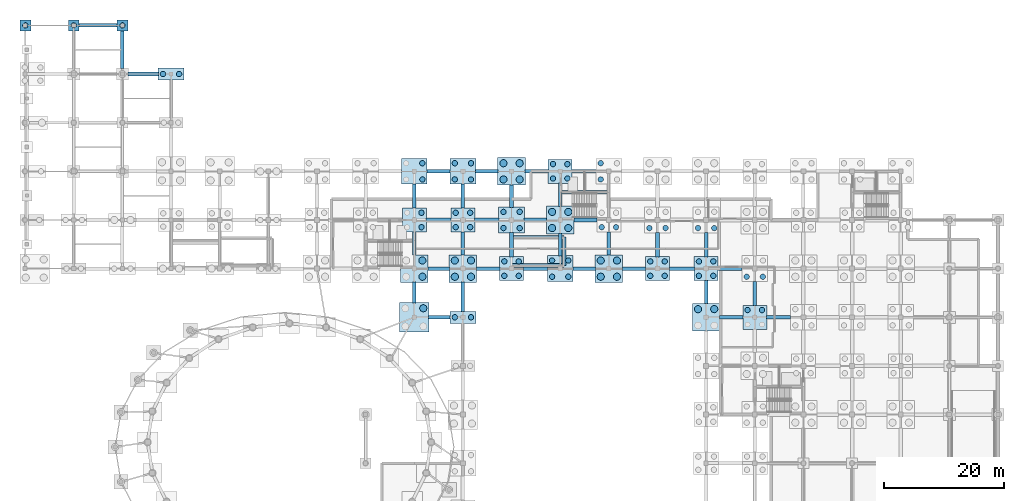
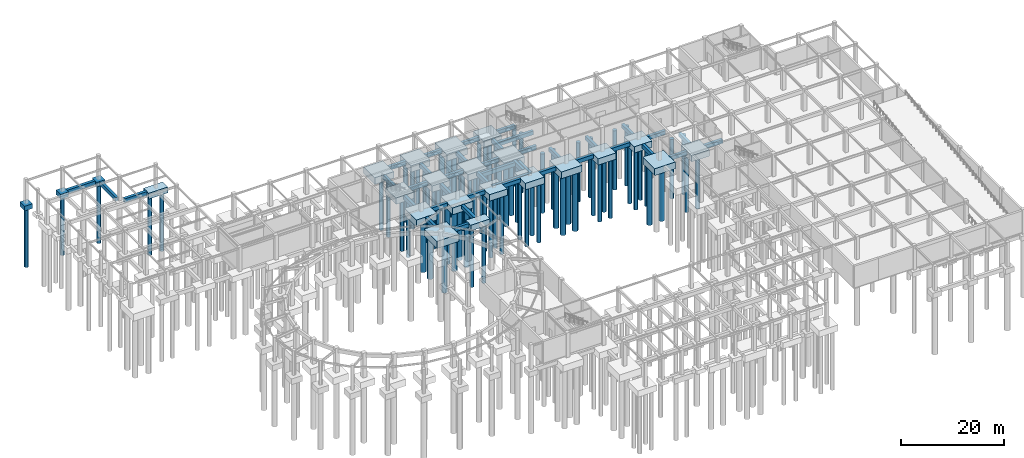
# One storey, part 5 of 26: 76 piles, 63 footings.
"""IFC4 building model written with IfcOpenShell, lengths in metres."""

from ifc_helpers import new_model, si_unit, direction, frame, origin, origin_2d, place, context, subcontext, project, spatial, rectangle, circle, extrude, material, material_profile, profile_set, type_object, element, save


model = new_model("IFC4")

# Units and contexts
model_context = context("Model", 3, precision=1e-05, world=origin(), true_north=direction((0.0, 1.0)))
body_context = subcontext(model_context, "Body", "Model", "MODEL_VIEW")
ifc_project = project(units=[si_unit("LENGTHUNIT", "METRE"), si_unit("AREAUNIT", "SQUARE_METRE"), si_unit("VOLUMEUNIT", "CUBIC_METRE"), si_unit("PLANEANGLEUNIT", "RADIAN"), si_unit("MASSUNIT", "GRAM", prefix="KILO")], contexts=[model_context])

# Site, building, storey
site_placement = place(None, origin())
site = spatial("IfcSite", under=ifc_project, at=site_placement, CompositionType="ELEMENT")
building_placement = place(site_placement, origin())
building = spatial("IfcBuilding", under=site, at=building_placement, Name="Parian Resonance Hall", CompositionType="ELEMENT")
storey_placement = place(building_placement, frame((0.0, 0.0, -5.39990234375)))
storey = spatial("IfcBuildingStorey", under=building, at=storey_placement, Name="B1", CompositionType="ELEMENT", Elevation=-5.39990234375)

# Footings
ifc_material_1 = material(Name="Concrete C35/45", Category="concrete")
ifc_material_profile_1 = material_profile(ifc_material_1, rectangle(XDim=0.60009765625, YDim=0.89990234375, at=origin_2d()), Name="RC-GB-600x900")
ifc_profile_set_1 = profile_set([ifc_material_profile_1], Name="Concrete C35/45")
footing_type_1 = type_object("IfcFootingType", Name="GB-600x900", PredefinedType="FOOTING_BEAM", material=ifc_profile_set_1)
footing_1_placement = place(storey_placement, frame((8.9599609375, 113.39990234375, -0.85009765625), z_axis=(1.0, 0.0, 0.0), x_axis=(0.0, 1.0, 0.0)))
element("IfcFooting", 1, at=footing_1_placement, inside=storey, type_object=footing_type_1, Name="Foundation tie beam B1-015", PredefinedType="FOOTING_BEAM", context=body_context, shape_type="SweptSolid", body=[
    extrude(rectangle(XDim=0.60009765625, YDim=0.89990234375, at=origin_2d()), origin(), (0.0, 0.0, 1.0), 6.380126953125),
])
footing_2_placement = place(storey_placement, frame((17.159912109375, 105.300048828125, -0.85009765625), z_axis=(1.0, 0.0, 0.0), x_axis=(0.0, 1.0, 0.0)))
element("IfcFooting", 2, at=footing_2_placement, inside=storey, type_object=footing_type_1, Name="Foundation tie beam B1-024", PredefinedType="FOOTING_BEAM", context=body_context, shape_type="SweptSolid", body=[
    extrude(rectangle(XDim=0.60009765625, YDim=0.89990234375, at=origin_2d()), origin(), (0.0, 0.0, 1.0), 5.030029296875),
])
footing_3_placement = place(storey_placement, frame((16.199951171875, 106.260009765625, -0.85009765625), z_axis=(0.0, 1.0, 0.0), x_axis=(-1.0, 0.0, 0.0)))
element("IfcFooting", 3, at=footing_3_placement, inside=storey, type_object=footing_type_1, Name="Foundation tie beam B1-025", PredefinedType="FOOTING_BEAM", context=body_context, shape_type="SweptSolid", body=[
    extrude(rectangle(XDim=0.60009765625, YDim=0.89990234375, at=origin_2d()), origin(), (0.0, 0.0, 1.0), 6.280029296875),
])
footing_4_placement = place(storey_placement, frame((67.2099609375, 64.800048828125, -0.85009765625), z_axis=(1.0, 0.0, 0.0), x_axis=(0.0, 1.0, 0.0)))
element("IfcFooting", 4, at=footing_4_placement, inside=storey, type_object=footing_type_1, Name="Foundation tie beam B1-058", PredefinedType="FOOTING_BEAM", context=body_context, shape_type="SweptSolid", body=[
    extrude(rectangle(XDim=0.60009765625, YDim=0.89990234375, at=origin_2d()), origin(), (0.0, 0.0, 1.0), 3.580078125),
])
footing_5_placement = place(storey_placement, frame((64.800048828125, 67.2099609375, -0.85009765625), z_axis=(0.0, 1.0, 0.0), x_axis=(-1.0, 0.0, 0.0)))
element("IfcFooting", 5, at=footing_5_placement, inside=storey, type_object=footing_type_1, Name="Foundation tie beam B1-059", PredefinedType="FOOTING_BEAM", context=body_context, shape_type="SweptSolid", body=[
    extrude(rectangle(XDim=0.60009765625, YDim=0.89990234375, at=origin_2d()), origin(), (0.0, 0.0, 1.0), 3.429931640625),
])
footing_6_placement = place(storey_placement, frame((67.06005859375, 72.89990234375, -0.85009765625), z_axis=(1.0, 0.0, 0.0), x_axis=(0.0, 1.0, 0.0)))
element("IfcFooting", 6, at=footing_6_placement, inside=storey, type_object=footing_type_1, Name="Foundation tie beam B1-060", PredefinedType="FOOTING_BEAM", context=body_context, shape_type="SweptSolid", body=[
    extrude(rectangle(XDim=0.60009765625, YDim=0.89990234375, at=origin_2d()), origin(), (0.0, 0.0, 1.0), 3.579833984375),
])
footing_7_placement = place(storey_placement, frame((64.800048828125, 75.159912109375, -0.85009765625), z_axis=(0.0, 1.0, 0.0), x_axis=(-1.0, 0.0, 0.0)))
element("IfcFooting", 7, at=footing_7_placement, inside=storey, type_object=footing_type_1, Name="Foundation tie beam B1-061", PredefinedType="FOOTING_BEAM", context=body_context, shape_type="SweptSolid", body=[
    extrude(rectangle(XDim=0.60009765625, YDim=0.89990234375, at=origin_2d()), origin(), (0.0, 0.0, 1.0), 3.880126953125),
])
footing_8_placement = place(storey_placement, frame((66.760009765625, 81.0, -0.85009765625), z_axis=(1.0, 0.0, 0.0), x_axis=(0.0, 1.0, 0.0)))
element("IfcFooting", 8, at=footing_8_placement, inside=storey, type_object=footing_type_1, Name="Foundation tie beam B1-062", PredefinedType="FOOTING_BEAM", context=body_context, shape_type="SweptSolid", body=[
    extrude(rectangle(XDim=0.60009765625, YDim=0.89990234375, at=origin_2d()), origin(), (0.0, 0.0, 1.0), 4.179931640625),
])
footing_9_placement = place(storey_placement, frame((64.800048828125, 82.9599609375, -0.85009765625), z_axis=(0.0, 1.0, 0.0), x_axis=(-1.0, 0.0, 0.0)))
element("IfcFooting", 9, at=footing_9_placement, inside=storey, type_object=footing_type_1, Name="Foundation tie beam B1-063", PredefinedType="FOOTING_BEAM", context=body_context, shape_type="SweptSolid", body=[
    extrude(rectangle(XDim=0.60009765625, YDim=0.89990234375, at=origin_2d()), origin(), (0.0, 0.0, 1.0), 4.030029296875),
])
footing_10_placement = place(storey_placement, frame((66.909912109375, 89.10009765625, -0.85009765625), z_axis=(1.0, 0.0, 0.0), x_axis=(0.0, 1.0, 0.0)))
element("IfcFooting", 10, at=footing_10_placement, inside=storey, type_object=footing_type_1, Name="Foundation tie beam B1-064", PredefinedType="FOOTING_BEAM", context=body_context, shape_type="SweptSolid", body=[
    extrude(rectangle(XDim=0.60009765625, YDim=0.89990234375, at=origin_2d()), origin(), (0.0, 0.0, 1.0), 3.880126953125),
])
footing_11_placement = place(storey_placement, frame((72.89990234375, 65.760009765625, -0.85009765625), z_axis=(0.0, 1.0, 0.0), x_axis=(-1.0, 0.0, 0.0)))
element("IfcFooting", 11, at=footing_11_placement, inside=storey, type_object=footing_type_1, Name="Foundation tie beam B1-075", PredefinedType="FOOTING_BEAM", context=body_context, shape_type="SweptSolid", body=[
    extrude(rectangle(XDim=0.60009765625, YDim=0.89990234375, at=origin_2d()), origin(), (0.0, 0.0, 1.0), 4.8798828125),
])
for number, where, z_axis, x_axis, name in (
    (12, (75.159912109375, 72.89990234375, -0.85009765625), (1.0, 0.0, 0.0), (0.0, 1.0, 0.0), "Foundation tie beam B1-076"),
    (13, (72.89990234375, 75.159912109375, -0.85009765625), (0.0, 1.0, 0.0), (-1.0, 0.0, 0.0), "Foundation tie beam B1-077"),
):
    element("IfcFooting", number, at=place(storey_placement, frame(where, z_axis=z_axis, x_axis=x_axis)), inside=storey, type_object=footing_type_1, Name=name, PredefinedType="FOOTING_BEAM", context=body_context, shape_type="SweptSolid", body=[
        extrude(rectangle(XDim=0.60009765625, YDim=0.89990234375, at=origin_2d()), origin(), (0.0, 0.0, 1.0), 3.880126953125),
    ])
footing_12_placement = place(storey_placement, frame((74.860107421875, 81.0, -0.85009765625), z_axis=(1.0, 0.0, 0.0), x_axis=(0.0, 1.0, 0.0)))
element("IfcFooting", 14, at=footing_12_placement, inside=storey, type_object=footing_type_1, Name="Foundation tie beam B1-078", PredefinedType="FOOTING_BEAM", context=body_context, shape_type="SweptSolid", body=[
    extrude(rectangle(XDim=0.60009765625, YDim=0.89990234375, at=origin_2d()), origin(), (0.0, 0.0, 1.0), 4.02978515625),
])
footing_13_placement = place(storey_placement, frame((72.89990234375, 82.9599609375, -0.85009765625), z_axis=(0.0, 1.0, 0.0), x_axis=(-1.0, 0.0, 0.0)))
element("IfcFooting", 15, at=footing_13_placement, inside=storey, type_object=footing_type_1, Name="Foundation tie beam B1-079", PredefinedType="FOOTING_BEAM", context=body_context, shape_type="SweptSolid", body=[
    extrude(rectangle(XDim=0.60009765625, YDim=0.89990234375, at=origin_2d()), origin(), (0.0, 0.0, 1.0), 4.030029296875),
])
footing_14_placement = place(storey_placement, frame((75.010009765625, 89.10009765625, -0.85009765625), z_axis=(1.0, 0.0, 0.0), x_axis=(0.0, 1.0, 0.0)))
element("IfcFooting", 16, at=footing_14_placement, inside=storey, type_object=footing_type_1, Name="Foundation tie beam B1-080", PredefinedType="FOOTING_BEAM", context=body_context, shape_type="SweptSolid", body=[
    extrude(rectangle(XDim=0.60009765625, YDim=0.89990234375, at=origin_2d()), origin(), (0.0, 0.0, 1.0), 3.72998046875),
])
footing_15_placement = place(storey_placement, frame((82.9599609375, 72.89990234375, -0.85009765625), z_axis=(1.0, 0.0, 0.0), x_axis=(0.0, 1.0, 0.0)))
element("IfcFooting", 17, at=footing_15_placement, inside=storey, type_object=footing_type_1, Name="Foundation tie beam B1-087", PredefinedType="FOOTING_BEAM", context=body_context, shape_type="SweptSolid", body=[
    extrude(rectangle(XDim=0.60009765625, YDim=0.89990234375, at=origin_2d()), origin(), (0.0, 0.0, 1.0), 4.030029296875),
])
footing_16_placement = place(storey_placement, frame((81.0, 74.860107421875, -0.85009765625), z_axis=(0.0, 1.0, 0.0), x_axis=(-1.0, 0.0, 0.0)))
element("IfcFooting", 18, at=footing_16_placement, inside=storey, type_object=footing_type_1, Name="Foundation tie beam B1-088", PredefinedType="FOOTING_BEAM", context=body_context, shape_type="SweptSolid", body=[
    extrude(rectangle(XDim=0.60009765625, YDim=0.89990234375, at=origin_2d()), origin(), (0.0, 0.0, 1.0), 4.02978515625),
])
for number, where, z_axis, x_axis, name in (
    (19, (83.110107421875, 81.0, -0.85009765625), (1.0, 0.0, 0.0), (0.0, 1.0, 0.0), "Foundation tie beam B1-089"),
    (20, (81.0, 83.110107421875, -0.85009765625), (0.0, 1.0, 0.0), (-1.0, 0.0, 0.0), "Foundation tie beam B1-090"),
):
    element("IfcFooting", number, at=place(storey_placement, frame(where, z_axis=z_axis, x_axis=x_axis)), inside=storey, type_object=footing_type_1, Name=name, PredefinedType="FOOTING_BEAM", context=body_context, shape_type="SweptSolid", body=[
        extrude(rectangle(XDim=0.60009765625, YDim=0.89990234375, at=origin_2d()), origin(), (0.0, 0.0, 1.0), 3.72998046875),
    ])
footing_17_placement = place(storey_placement, frame((83.260009765625, 89.10009765625, -0.85009765625), z_axis=(1.0, 0.0, 0.0), x_axis=(0.0, 1.0, 0.0)))
element("IfcFooting", 21, at=footing_17_placement, inside=storey, type_object=footing_type_1, Name="Foundation tie beam B1-091", PredefinedType="FOOTING_BEAM", context=body_context, shape_type="SweptSolid", body=[
    extrude(rectangle(XDim=0.60009765625, YDim=0.89990234375, at=origin_2d()), origin(), (0.0, 0.0, 1.0), 3.8798828125),
])
for number, where, z_axis, x_axis, name in (
    (22, (91.2099609375, 72.89990234375, -0.85009765625), (1.0, 0.0, 0.0), (0.0, 1.0, 0.0), "Foundation tie beam B1-098"),
    (23, (89.10009765625, 75.010009765625, -0.85009765625), (0.0, 1.0, 0.0), (-1.0, 0.0, 0.0), "Foundation tie beam B1-099"),
):
    element("IfcFooting", number, at=place(storey_placement, frame(where, z_axis=z_axis, x_axis=x_axis)), inside=storey, type_object=footing_type_1, Name=name, PredefinedType="FOOTING_BEAM", context=body_context, shape_type="SweptSolid", body=[
        extrude(rectangle(XDim=0.60009765625, YDim=0.89990234375, at=origin_2d()), origin(), (0.0, 0.0, 1.0), 3.72998046875),
    ])
for number, where, z_axis, x_axis, name in (
    (24, (91.360107421875, 81.0, -0.85009765625), (1.0, 0.0, 0.0), (0.0, 1.0, 0.0), "Foundation tie beam B1-100"),
    (25, (89.10009765625, 83.260009765625, -0.85009765625), (0.0, 1.0, 0.0), (-1.0, 0.0, 0.0), "Foundation tie beam B1-101"),
):
    element("IfcFooting", number, at=place(storey_placement, frame(where, z_axis=z_axis, x_axis=x_axis)), inside=storey, type_object=footing_type_1, Name=name, PredefinedType="FOOTING_BEAM", context=body_context, shape_type="SweptSolid", body=[
        extrude(rectangle(XDim=0.60009765625, YDim=0.89990234375, at=origin_2d()), origin(), (0.0, 0.0, 1.0), 3.8798828125),
    ])
footing_18_placement = place(storey_placement, frame((91.06005859375, 89.10009765625, -0.85009765625), z_axis=(1.0, 0.0, 0.0), x_axis=(0.0, 1.0, 0.0)))
element("IfcFooting", 26, at=footing_18_placement, inside=storey, type_object=footing_type_1, Name="Foundation tie beam B1-102", PredefinedType="FOOTING_BEAM", context=body_context, shape_type="SweptSolid", body=[
    extrude(rectangle(XDim=0.60009765625, YDim=0.89990234375, at=origin_2d()), origin(), (0.0, 0.0, 1.0), 4.030029296875),
])
for number, where, z_axis, x_axis, name in (
    (27, (99.4599609375, 72.89990234375, -0.85009765625), (1.0, 0.0, 0.0), (0.0, 1.0, 0.0), "Foundation tie beam B1-109"),
    (28, (97.199951171875, 75.159912109375, -0.85009765625), (0.0, 1.0, 0.0), (-1.0, 0.0, 0.0), "Foundation tie beam B1-110"),
):
    element("IfcFooting", number, at=place(storey_placement, frame(where, z_axis=z_axis, x_axis=x_axis)), inside=storey, type_object=footing_type_1, Name=name, PredefinedType="FOOTING_BEAM", context=body_context, shape_type="SweptSolid", body=[
        extrude(rectangle(XDim=0.60009765625, YDim=0.89990234375, at=origin_2d()), origin(), (0.0, 0.0, 1.0), 3.880126953125),
    ])
footing_19_placement = place(storey_placement, frame((107.260009765625, 72.89990234375, -0.85009765625), z_axis=(1.0, 0.0, 0.0), x_axis=(0.0, 1.0, 0.0)))
element("IfcFooting", 29, at=footing_19_placement, inside=storey, type_object=footing_type_1, Name="Foundation tie beam B1-120", PredefinedType="FOOTING_BEAM", context=body_context, shape_type="SweptSolid", body=[
    extrude(rectangle(XDim=0.60009765625, YDim=0.89990234375, at=origin_2d()), origin(), (0.0, 0.0, 1.0), 4.179931640625),
])
footing_20_placement = place(storey_placement, frame((105.300048828125, 74.860107421875, -0.85009765625), z_axis=(0.0, 1.0, 0.0), x_axis=(-1.0, 0.0, 0.0)))
element("IfcFooting", 30, at=footing_20_placement, inside=storey, type_object=footing_type_1, Name="Foundation tie beam B1-121", PredefinedType="FOOTING_BEAM", context=body_context, shape_type="SweptSolid", body=[
    extrude(rectangle(XDim=0.60009765625, YDim=0.89990234375, at=origin_2d()), origin(), (0.0, 0.0, 1.0), 4.02978515625),
])
footing_21_placement = place(storey_placement, frame((115.659912109375, 64.800048828125, -0.85009765625), z_axis=(1.0, 0.0, 0.0), x_axis=(0.0, 1.0, 0.0)))
element("IfcFooting", 31, at=footing_21_placement, inside=storey, type_object=footing_type_1, Name="Foundation tie beam B1-138", PredefinedType="FOOTING_BEAM", context=body_context, shape_type="SweptSolid", body=[
    extrude(rectangle(XDim=0.60009765625, YDim=0.89990234375, at=origin_2d()), origin(), (0.0, 0.0, 1.0), 3.880126953125),
])
footing_22_placement = place(storey_placement, frame((113.39990234375, 67.06005859375, -0.85009765625), z_axis=(0.0, 1.0, 0.0), x_axis=(-1.0, 0.0, 0.0)))
element("IfcFooting", 32, at=footing_22_placement, inside=storey, type_object=footing_type_1, Name="Foundation tie beam B1-139", PredefinedType="FOOTING_BEAM", context=body_context, shape_type="SweptSolid", body=[
    extrude(rectangle(XDim=0.60009765625, YDim=0.89990234375, at=origin_2d()), origin(), (0.0, 0.0, 1.0), 3.8798828125),
])
for number, where, z_axis, x_axis, name in (
    (33, (115.360107421875, 72.89990234375, -0.85009765625), (1.0, 0.0, 0.0), (0.0, 1.0, 0.0), "Foundation tie beam B1-140"),
    (34, (113.39990234375, 74.860107421875, -0.85009765625), (0.0, 1.0, 0.0), (-1.0, 0.0, 0.0), "Foundation tie beam B1-141"),
):
    element("IfcFooting", number, at=place(storey_placement, frame(where, z_axis=z_axis, x_axis=x_axis)), inside=storey, type_object=footing_type_1, Name=name, PredefinedType="FOOTING_BEAM", context=body_context, shape_type="SweptSolid", body=[
        extrude(rectangle(XDim=0.60009765625, YDim=0.89990234375, at=origin_2d()), origin(), (0.0, 0.0, 1.0), 4.02978515625),
    ])
for number, where, z_axis, x_axis, name in (
    (35, (123.4599609375, 64.800048828125, -0.85009765625), (1.0, 0.0, 0.0), (0.0, 1.0, 0.0), "Foundation tie beam B1-157"),
    (36, (121.5, 66.760009765625, -0.85009765625), (0.0, 1.0, 0.0), (-1.0, 0.0, 0.0), "Foundation tie beam B1-158"),
):
    element("IfcFooting", number, at=place(storey_placement, frame(where, z_axis=z_axis, x_axis=x_axis)), inside=storey, type_object=footing_type_1, Name=name, PredefinedType="FOOTING_BEAM", context=body_context, shape_type="SweptSolid", body=[
        extrude(rectangle(XDim=0.60009765625, YDim=0.89990234375, at=origin_2d()), origin(), (0.0, 0.0, 1.0), 4.030029296875),
    ])
footing_23_placement = place(storey_placement, frame((89.10009765625, 85.610107421875, -0.85009765625), z_axis=(1.0, 0.0, 0.0), x_axis=(0.0, 1.0, 0.0)))
element("IfcFooting", 37, at=footing_23_placement, inside=storey, type_object=footing_type_1, Name="Core K5 divider foundation beam", PredefinedType="FOOTING_BEAM", context=body_context, shape_type="SweptSolid", body=[
    extrude(rectangle(XDim=0.60009765625, YDim=0.89990234375, at=origin_2d()), origin(), (0.0, 0.0, 1.0), 8.099853515625),
])
for number, where, z_axis, x_axis, name in (
    (38, (81.0, 73.449951171875, -0.85009765625), (1.0, 0.0, 0.0), (0.0, 1.0, 0.0), "Feature stair ST-08 foundation beam S"),
    (39, (81.0, 78.1298828125, -0.85009765625), (1.0, 0.0, 0.0), (0.0, 1.0, 0.0), "Feature stair ST-08 foundation beam N"),
):
    element("IfcFooting", number, at=place(storey_placement, frame(where, z_axis=z_axis, x_axis=x_axis)), inside=storey, type_object=footing_type_1, Name=name, PredefinedType="FOOTING_BEAM", context=body_context, shape_type="SweptSolid", body=[
        extrude(rectangle(XDim=0.60009765625, YDim=0.89990234375, at=origin_2d()), origin(), (0.0, 0.0, 1.0), 8.739990234375),
    ])
footing_24_placement = place(storey_placement, frame((89.739990234375, 73.449951171875, -0.85009765625), z_axis=(0.0, 1.0, 0.0), x_axis=(-1.0, 0.0, 0.0)))
element("IfcFooting", 40, at=footing_24_placement, inside=storey, type_object=footing_type_1, Name="Feature stair ST-08 foundation beam E", PredefinedType="FOOTING_BEAM", context=body_context, shape_type="SweptSolid", body=[
    extrude(rectangle(XDim=0.60009765625, YDim=0.89990234375, at=origin_2d()), origin(), (0.0, 0.0, 1.0), 4.679931640625),
])
ifc_material_2 = material(Name="Concrete C35/45", Category="concrete")
footing_type_2 = type_object("IfcFootingType", Name="PC-1P-1800", PredefinedType="PILE_CAP", material=ifc_material_2)
for number, where, z_axis, x_axis, name in (
    (41, (0.050048828125, 113.39990234375, -1.500244140625), (0.0, 0.0, 1.0), (1.0, 0.0, 0.0), "Pile cap G01-15"),
    (42, (8.10009765625, 113.39990234375, -1.500244140625), (0.0, 0.0, 1.0), (1.0, 0.0, 0.0), "Pile cap G02-15"),
    (43, (16.199951171875, 113.39990234375, -1.500244140625), (0.0, 0.0, 1.0), (1.0, 0.0, 0.0), "Pile cap G03-15"),
):
    element("IfcFooting", number, at=place(storey_placement, frame(where, z_axis=z_axis, x_axis=x_axis)), inside=storey, type_object=footing_type_2, Name=name, PredefinedType="PILE_CAP", context=body_context, shape_type="SweptSolid", body=[
        extrude(rectangle(XDim=1.800048828125, YDim=1.800048828125, at=origin_2d()), origin(), (0.0, 0.0, 1.0), 1.10009765625),
    ])
ifc_material_3 = material(Name="Concrete C35/45", Category="concrete")
footing_type_3 = type_object("IfcFootingType", Name="PC-2P-4300x2000", PredefinedType="PILE_CAP", material=ifc_material_3)
for number, where, z_axis, x_axis, name in (
    (44, (24.300048828125, 105.300048828125, -1.750244140625), (0.0, 0.0, 1.0), (1.0, 0.0, 0.0), "Pile cap G04-14"),
    (45, (72.89990234375, 64.800048828125, -1.750244140625), (0.0, 0.0, 1.0), (1.0, 0.0, 0.0), "Pile cap G10-09"),
):
    element("IfcFooting", number, at=place(storey_placement, frame(where, z_axis=z_axis, x_axis=x_axis)), inside=storey, type_object=footing_type_3, Name=name, PredefinedType="PILE_CAP", context=body_context, shape_type="SweptSolid", body=[
        extrude(rectangle(XDim=4.300048828125, YDim=2.0, at=origin_2d()), origin(), (0.0, 0.0, 1.0), 1.35009765625),
    ])
ifc_material_4 = material(Name="Concrete C35/45", Category="concrete")
footing_type_4 = type_object("IfcFootingType", Name="PC-4P-4000x4000", PredefinedType="PILE_CAP", material=ifc_material_4)
for number, where, z_axis, x_axis, name in (
    (46, (64.800048828125, 81.0, -1.900146484375), (0.0, 0.0, 1.0), (1.0, 0.0, 0.0), "Pile cap G09-11"),
    (47, (72.89990234375, 81.0, -1.900146484375), (0.0, 0.0, 1.0), (1.0, 0.0, 0.0), "Pile cap G10-11"),
    (48, (81.0, 72.89990234375, -1.900146484375), (0.0, 0.0, 1.0), (1.0, 0.0, 0.0), "Pile cap G11-10"),
    (49, (89.10009765625, 89.10009765625, -1.900146484375), (0.0, 0.0, 1.0), (1.0, 0.0, 0.0), "Pile cap G12-12"),
    (50, (105.300048828125, 72.89990234375, -1.900146484375), (0.0, 0.0, 1.0), (1.0, 0.0, 0.0), "Pile cap G14-10"),
    (51, (113.39990234375, 72.89990234375, -1.900146484375), (0.0, 0.0, 1.0), (1.0, 0.0, 0.0), "Pile cap G15-10"),
    (52, (121.5, 64.800048828125, -1.900146484375), (0.0, 0.0, 1.0), (1.0, 0.0, 0.0), "Pile cap G16-09"),
):
    element("IfcFooting", number, at=place(storey_placement, frame(where, z_axis=z_axis, x_axis=x_axis)), inside=storey, type_object=footing_type_4, Name=name, PredefinedType="PILE_CAP", context=body_context, shape_type="SweptSolid", body=[
        extrude(rectangle(XDim=4.0, YDim=4.0, at=origin_2d()), origin(), (0.0, 0.0, 1.0), 1.5),
    ])
ifc_material_5 = material(Name="Concrete C35/45", Category="concrete")
footing_type_5 = type_object("IfcFootingType", Name="PC-4P-4300x4300", PredefinedType="PILE_CAP", material=ifc_material_5)
for number, where, z_axis, x_axis, name in (
    (53, (64.800048828125, 89.10009765625, -1.9501953125), (0.0, 0.0, 1.0), (1.0, 0.0, 0.0), "Pile cap G09-12"),
    (54, (72.89990234375, 89.10009765625, -1.9501953125), (0.0, 0.0, 1.0), (1.0, 0.0, 0.0), "Pile cap G10-12"),
    (55, (81.0, 81.0, -1.9501953125), (0.0, 0.0, 1.0), (1.0, 0.0, 0.0), "Pile cap G11-11"),
    (56, (89.10009765625, 72.89990234375, -1.9501953125), (0.0, 0.0, 1.0), (1.0, 0.0, 0.0), "Pile cap G12-10"),
):
    element("IfcFooting", number, at=place(storey_placement, frame(where, z_axis=z_axis, x_axis=x_axis)), inside=storey, type_object=footing_type_5, Name=name, PredefinedType="PILE_CAP", context=body_context, shape_type="SweptSolid", body=[
        extrude(rectangle(XDim=4.300048828125, YDim=4.300048828125, at=origin_2d()), origin(), (0.0, 0.0, 1.0), 1.550048828125),
    ])
ifc_material_6 = material(Name="Concrete C35/45", Category="concrete")
footing_type_6 = type_object("IfcFootingType", Name="PC-4P-4600x4600", PredefinedType="PILE_CAP", material=ifc_material_6)
for number, where, z_axis, x_axis, name in (
    (57, (64.800048828125, 72.89990234375, -2.000244140625), (0.0, 0.0, 1.0), (1.0, 0.0, 0.0), "Pile cap G09-10"),
    (58, (72.89990234375, 72.89990234375, -2.000244140625), (0.0, 0.0, 1.0), (1.0, 0.0, 0.0), "Pile cap G10-10"),
    (59, (81.0, 89.10009765625, -2.000244140625), (0.0, 0.0, 1.0), (1.0, 0.0, 0.0), "Pile cap G11-12"),
    (60, (89.10009765625, 81.0, -2.000244140625), (0.0, 0.0, 1.0), (1.0, 0.0, 0.0), "Pile cap G12-11"),
    (61, (97.199951171875, 72.89990234375, -2.000244140625), (0.0, 0.0, 1.0), (1.0, 0.0, 0.0), "Pile cap G13-10"),
    (62, (113.39990234375, 64.800048828125, -2.000244140625), (0.0, 0.0, 1.0), (1.0, 0.0, 0.0), "Pile cap G15-09"),
):
    element("IfcFooting", number, at=place(storey_placement, frame(where, z_axis=z_axis, x_axis=x_axis)), inside=storey, type_object=footing_type_6, Name=name, PredefinedType="PILE_CAP", context=body_context, shape_type="SweptSolid", body=[
        extrude(rectangle(XDim=4.60009765625, YDim=4.60009765625, at=origin_2d()), origin(), (0.0, 0.0, 1.0), 1.60009765625),
    ])
ifc_material_7 = material(Name="Concrete C35/45", Category="concrete")
footing_type_7 = type_object("IfcFootingType", Name="PC-4P-4900x4900", PredefinedType="PILE_CAP", material=ifc_material_7)
footing_25_placement = place(storey_placement, frame((64.800048828125, 64.800048828125, -2.10009765625), z_axis=(0.0, 0.0, 1.0), x_axis=(1.0, 0.0, 0.0)))
element("IfcFooting", 63, at=footing_25_placement, inside=storey, type_object=footing_type_7, Name="Pile cap G09-09", PredefinedType="PILE_CAP", context=body_context, shape_type="SweptSolid", body=[
    extrude(rectangle(XDim=4.89990234375, YDim=4.89990234375, at=origin_2d()), origin(), (0.0, 0.0, 1.0), 1.699951171875),
])

# Piles
ifc_material_8 = material(Name="Concrete C35/45", Category="concrete")
ifc_material_profile_2 = material_profile(ifc_material_8, circle(Radius=0.60009765625, at=origin_2d()), Name="PILE-D1200")
ifc_profile_set_2 = profile_set([ifc_material_profile_2], Name="Concrete C35/45")
pile_type_1 = type_object("IfcPileType", Name="PILE-1200", PredefinedType="BORED", material=ifc_profile_set_2)
for number, where, z_axis, x_axis, name in (
    (64, (66.300048828125, 66.300048828125, -2.0), (0.0, 0.0, -1.0), (1.0, 0.0, 0.0), "Bored pile G09-09-4"),
    (65, (66.14990234375, 71.550048828125, -1.900146484375), (0.0, 0.0, -1.0), (1.0, 0.0, 0.0), "Bored pile G09-10-3"),
    (66, (66.14990234375, 74.25, -1.900146484375), (0.0, 0.0, -1.0), (1.0, 0.0, 0.0), "Bored pile G09-10-4"),
    (67, (71.550048828125, 71.550048828125, -1.900146484375), (0.0, 0.0, -1.0), (1.0, 0.0, 0.0), "Bored pile G10-10-1"),
    (68, (71.550048828125, 74.25, -1.900146484375), (0.0, 0.0, -1.0), (1.0, 0.0, 0.0), "Bored pile G10-10-2"),
    (69, (74.25, 71.550048828125, -1.900146484375), (0.0, 0.0, -1.0), (1.0, 0.0, 0.0), "Bored pile G10-10-3"),
    (70, (74.25, 74.25, -1.900146484375), (0.0, 0.0, -1.0), (1.0, 0.0, 0.0), "Bored pile G10-10-4"),
    (71, (79.64990234375, 87.75, -1.900146484375), (0.0, 0.0, -1.0), (1.0, 0.0, 0.0), "Bored pile G11-12-1"),
    (72, (79.64990234375, 90.449951171875, -1.900146484375), (0.0, 0.0, -1.0), (1.0, 0.0, 0.0), "Bored pile G11-12-2"),
    (73, (82.35009765625, 87.75, -1.900146484375), (0.0, 0.0, -1.0), (1.0, 0.0, 0.0), "Bored pile G11-12-3"),
    (74, (82.35009765625, 90.449951171875, -1.900146484375), (0.0, 0.0, -1.0), (1.0, 0.0, 0.0), "Bored pile G11-12-4"),
    (75, (87.75, 79.64990234375, -1.900146484375), (0.0, 0.0, -1.0), (1.0, 0.0, 0.0), "Bored pile G12-11-1"),
    (76, (87.75, 82.35009765625, -1.900146484375), (0.0, 0.0, -1.0), (1.0, 0.0, 0.0), "Bored pile G12-11-2"),
    (77, (90.449951171875, 79.64990234375, -1.900146484375), (0.0, 0.0, -1.0), (1.0, 0.0, 0.0), "Bored pile G12-11-3"),
    (78, (90.449951171875, 82.35009765625, -1.900146484375), (0.0, 0.0, -1.0), (1.0, 0.0, 0.0), "Bored pile G12-11-4"),
    (79, (95.85009765625, 71.550048828125, -1.900146484375), (0.0, 0.0, -1.0), (1.0, 0.0, 0.0), "Bored pile G13-10-1"),
    (80, (95.85009765625, 74.25, -1.900146484375), (0.0, 0.0, -1.0), (1.0, 0.0, 0.0), "Bored pile G13-10-2"),
    (81, (98.550048828125, 71.550048828125, -1.900146484375), (0.0, 0.0, -1.0), (1.0, 0.0, 0.0), "Bored pile G13-10-3"),
    (82, (98.550048828125, 74.25, -1.900146484375), (0.0, 0.0, -1.0), (1.0, 0.0, 0.0), "Bored pile G13-10-4"),
    (83, (112.050048828125, 66.14990234375, -1.900146484375), (0.0, 0.0, -1.0), (1.0, 0.0, 0.0), "Bored pile G15-09-2"),
    (84, (114.75, 66.14990234375, -1.900146484375), (0.0, 0.0, -1.0), (1.0, 0.0, 0.0), "Bored pile G15-09-4"),
):
    element("IfcPile", number, at=place(storey_placement, frame(where, z_axis=z_axis, x_axis=x_axis)), inside=storey, type_object=pile_type_1, Name=name, PredefinedType="BORED", context=body_context, shape_type="SweptSolid", body=[
        extrude(circle(Radius=0.60009765625, at=origin_2d()), origin(), (0.0, 0.0, 1.0), 14.0),
    ])
ifc_material_9 = material(Name="Concrete C35/45", Category="concrete")
ifc_material_profile_3 = material_profile(ifc_material_9, circle(Radius=0.449951171875, at=origin_2d()), Name="PILE-D900")
ifc_profile_set_3 = profile_set([ifc_material_profile_3], Name="Concrete C35/45")
pile_type_2 = type_object("IfcPileType", Name="PILE-900", PredefinedType="BORED", material=ifc_profile_set_3)
for number, where, z_axis, x_axis, name in (
    (85, (0.050048828125, 113.39990234375, -1.400146484375), (0.0, 0.0, -1.0), (1.0, 0.0, 0.0), "Bored pile G01-15-1"),
    (86, (8.10009765625, 113.39990234375, -1.400146484375), (0.0, 0.0, -1.0), (1.0, 0.0, 0.0), "Bored pile G02-15-1"),
    (87, (16.199951171875, 113.39990234375, -1.400146484375), (0.0, 0.0, -1.0), (1.0, 0.0, 0.0), "Bored pile G03-15-1"),
    (88, (22.949951171875, 105.300048828125, -1.650146484375), (0.0, 0.0, -1.0), (1.0, 0.0, 0.0), "Bored pile G04-14-1"),
    (89, (25.64990234375, 105.300048828125, -1.650146484375), (0.0, 0.0, -1.0), (1.0, 0.0, 0.0), "Bored pile G04-14-2"),
    (90, (66.0, 79.800048828125, -1.800048828125), (0.0, 0.0, -1.0), (1.0, 0.0, 0.0), "Bored pile G09-11-3"),
    (91, (66.0, 82.199951171875, -1.800048828125), (0.0, 0.0, -1.0), (1.0, 0.0, 0.0), "Bored pile G09-11-4"),
    (92, (66.14990234375, 87.75, -1.85009765625), (0.0, 0.0, -1.0), (1.0, 0.0, 0.0), "Bored pile G09-12-3"),
    (93, (66.14990234375, 90.449951171875, -1.85009765625), (0.0, 0.0, -1.0), (1.0, 0.0, 0.0), "Bored pile G09-12-4"),
    (94, (71.550048828125, 64.800048828125, -1.650146484375), (0.0, 0.0, -1.0), (1.0, 0.0, 0.0), "Bored pile G10-09-1"),
    (95, (74.25, 64.800048828125, -1.650146484375), (0.0, 0.0, -1.0), (1.0, 0.0, 0.0), "Bored pile G10-09-2"),
    (96, (71.699951171875, 79.800048828125, -1.800048828125), (0.0, 0.0, -1.0), (1.0, 0.0, 0.0), "Bored pile G10-11-1"),
    (97, (71.699951171875, 82.199951171875, -1.800048828125), (0.0, 0.0, -1.0), (1.0, 0.0, 0.0), "Bored pile G10-11-2"),
    (98, (74.10009765625, 79.800048828125, -1.800048828125), (0.0, 0.0, -1.0), (1.0, 0.0, 0.0), "Bored pile G10-11-3"),
    (99, (74.10009765625, 82.199951171875, -1.800048828125), (0.0, 0.0, -1.0), (1.0, 0.0, 0.0), "Bored pile G10-11-4"),
    (100, (71.550048828125, 87.75, -1.85009765625), (0.0, 0.0, -1.0), (1.0, 0.0, 0.0), "Bored pile G10-12-1"),
    (101, (71.550048828125, 90.449951171875, -1.85009765625), (0.0, 0.0, -1.0), (1.0, 0.0, 0.0), "Bored pile G10-12-2"),
    (102, (74.25, 87.75, -1.85009765625), (0.0, 0.0, -1.0), (1.0, 0.0, 0.0), "Bored pile G10-12-3"),
    (103, (74.25, 90.449951171875, -1.85009765625), (0.0, 0.0, -1.0), (1.0, 0.0, 0.0), "Bored pile G10-12-4"),
    (104, (79.800048828125, 71.699951171875, -1.800048828125), (0.0, 0.0, -1.0), (1.0, 0.0, 0.0), "Bored pile G11-10-1"),
    (105, (79.800048828125, 74.10009765625, -1.800048828125), (0.0, 0.0, -1.0), (1.0, 0.0, 0.0), "Bored pile G11-10-2"),
    (106, (82.199951171875, 71.699951171875, -1.800048828125), (0.0, 0.0, -1.0), (1.0, 0.0, 0.0), "Bored pile G11-10-3"),
    (107, (82.199951171875, 74.10009765625, -1.800048828125), (0.0, 0.0, -1.0), (1.0, 0.0, 0.0), "Bored pile G11-10-4"),
    (108, (79.64990234375, 79.64990234375, -1.85009765625), (0.0, 0.0, -1.0), (1.0, 0.0, 0.0), "Bored pile G11-11-1"),
    (109, (79.64990234375, 82.35009765625, -1.85009765625), (0.0, 0.0, -1.0), (1.0, 0.0, 0.0), "Bored pile G11-11-2"),
    (110, (82.35009765625, 79.64990234375, -1.85009765625), (0.0, 0.0, -1.0), (1.0, 0.0, 0.0), "Bored pile G11-11-3"),
    (111, (82.35009765625, 82.35009765625, -1.85009765625), (0.0, 0.0, -1.0), (1.0, 0.0, 0.0), "Bored pile G11-11-4"),
    (112, (87.75, 71.550048828125, -1.85009765625), (0.0, 0.0, -1.0), (1.0, 0.0, 0.0), "Bored pile G12-10-1"),
    (113, (87.75, 74.25, -1.85009765625), (0.0, 0.0, -1.0), (1.0, 0.0, 0.0), "Bored pile G12-10-2"),
    (114, (90.449951171875, 71.550048828125, -1.85009765625), (0.0, 0.0, -1.0), (1.0, 0.0, 0.0), "Bored pile G12-10-3"),
    (115, (90.449951171875, 74.25, -1.85009765625), (0.0, 0.0, -1.0), (1.0, 0.0, 0.0), "Bored pile G12-10-4"),
    (116, (87.89990234375, 87.89990234375, -1.800048828125), (0.0, 0.0, -1.0), (1.0, 0.0, 0.0), "Bored pile G12-12-1"),
    (117, (87.89990234375, 90.300048828125, -1.800048828125), (0.0, 0.0, -1.0), (1.0, 0.0, 0.0), "Bored pile G12-12-2"),
    (118, (90.300048828125, 87.89990234375, -1.800048828125), (0.0, 0.0, -1.0), (1.0, 0.0, 0.0), "Bored pile G12-12-3"),
    (119, (90.300048828125, 90.300048828125, -1.800048828125), (0.0, 0.0, -1.0), (1.0, 0.0, 0.0), "Bored pile G12-12-4"),
    (120, (96.0, 79.800048828125, -1.800048828125), (0.0, 0.0, -1.0), (1.0, 0.0, 0.0), "Bored pile G13-11-1"),
    (121, (98.39990234375, 79.800048828125, -1.800048828125), (0.0, 0.0, -1.0), (1.0, 0.0, 0.0), "Bored pile G13-11-3"),
    (122, (95.85009765625, 87.75, -1.85009765625), (0.0, 0.0, -1.0), (1.0, 0.0, 0.0), "Bored pile G13-12-1"),
    (123, (95.85009765625, 90.449951171875, -1.85009765625), (0.0, 0.0, -1.0), (1.0, 0.0, 0.0), "Bored pile G13-12-2"),
    (124, (104.10009765625, 71.699951171875, -1.800048828125), (0.0, 0.0, -1.0), (1.0, 0.0, 0.0), "Bored pile G14-10-1"),
    (125, (104.10009765625, 74.10009765625, -1.800048828125), (0.0, 0.0, -1.0), (1.0, 0.0, 0.0), "Bored pile G14-10-2"),
    (126, (106.5, 71.699951171875, -1.800048828125), (0.0, 0.0, -1.0), (1.0, 0.0, 0.0), "Bored pile G14-10-3"),
    (127, (106.5, 74.10009765625, -1.800048828125), (0.0, 0.0, -1.0), (1.0, 0.0, 0.0), "Bored pile G14-10-4"),
    (128, (103.949951171875, 79.64990234375, -1.85009765625), (0.0, 0.0, -1.0), (1.0, 0.0, 0.0), "Bored pile G14-11-1"),
    (129, (106.64990234375, 79.64990234375, -1.85009765625), (0.0, 0.0, -1.0), (1.0, 0.0, 0.0), "Bored pile G14-11-3"),
    (130, (112.199951171875, 71.699951171875, -1.800048828125), (0.0, 0.0, -1.0), (1.0, 0.0, 0.0), "Bored pile G15-10-1"),
    (131, (112.199951171875, 74.10009765625, -1.800048828125), (0.0, 0.0, -1.0), (1.0, 0.0, 0.0), "Bored pile G15-10-2"),
    (132, (114.60009765625, 71.699951171875, -1.800048828125), (0.0, 0.0, -1.0), (1.0, 0.0, 0.0), "Bored pile G15-10-3"),
    (133, (114.60009765625, 74.10009765625, -1.800048828125), (0.0, 0.0, -1.0), (1.0, 0.0, 0.0), "Bored pile G15-10-4"),
    (134, (112.050048828125, 79.64990234375, -1.85009765625), (0.0, 0.0, -1.0), (1.0, 0.0, 0.0), "Bored pile G15-11-1"),
    (135, (114.75, 79.64990234375, -1.85009765625), (0.0, 0.0, -1.0), (1.0, 0.0, 0.0), "Bored pile G15-11-3"),
    (136, (120.300048828125, 66.0, -1.800048828125), (0.0, 0.0, -1.0), (1.0, 0.0, 0.0), "Bored pile G16-09-2"),
    (137, (122.699951171875, 66.0, -1.800048828125), (0.0, 0.0, -1.0), (1.0, 0.0, 0.0), "Bored pile G16-09-4"),
    (138, (120.14990234375, 71.550048828125, -1.85009765625), (0.0, 0.0, -1.0), (1.0, 0.0, 0.0), "Bored pile G16-10-1"),
    (139, (122.85009765625, 71.550048828125, -1.85009765625), (0.0, 0.0, -1.0), (1.0, 0.0, 0.0), "Bored pile G16-10-3"),
):
    element("IfcPile", number, at=place(storey_placement, frame(where, z_axis=z_axis, x_axis=x_axis)), inside=storey, type_object=pile_type_2, Name=name, PredefinedType="BORED", context=body_context, shape_type="SweptSolid", body=[
        extrude(circle(Radius=0.449951171875, at=origin_2d()), origin(), (0.0, 0.0, 1.0), 14.0),
    ])

save(model, "model.ifc")
